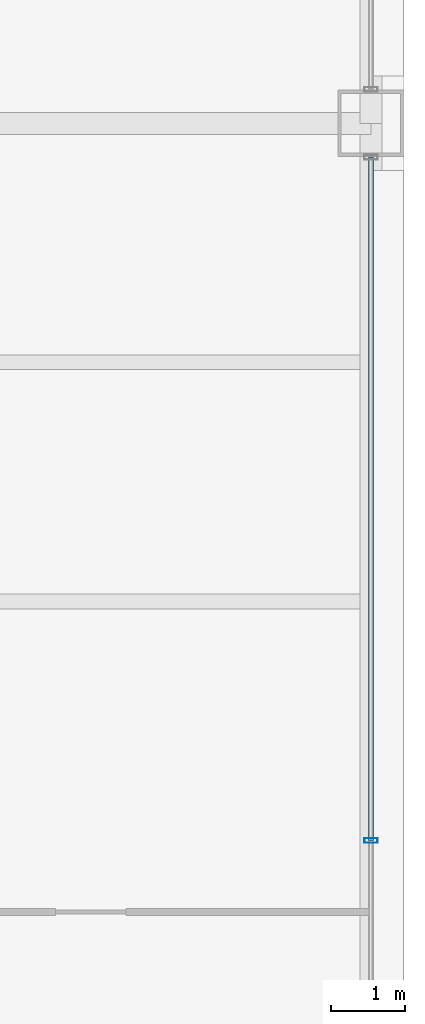
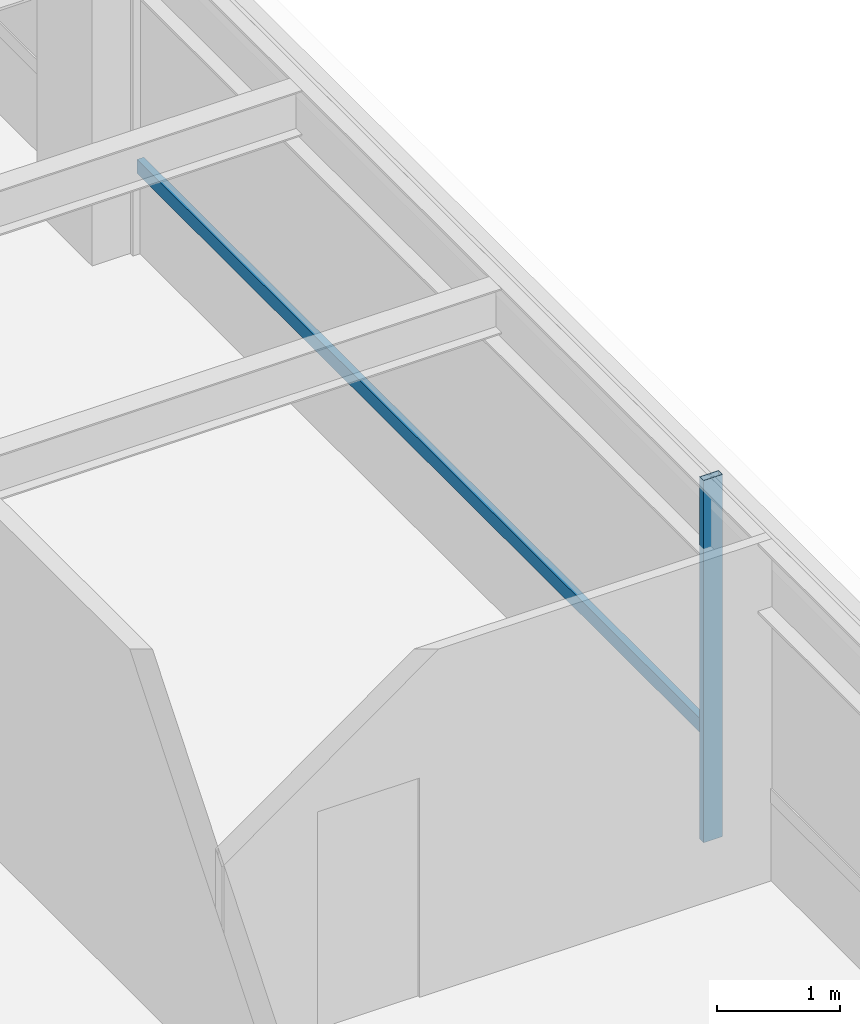
# One storey, part 15 of 29: 2 members, 1 element without a shape of its own.
"""IFC4 building model written with IfcOpenShell, lengths in metres."""

from ifc_helpers import new_model, si_unit, direction, frame, origin, origin_2d, place, context, subcontext, project, spatial, hollow_rectangle, extrude, material, layer, layer_set, material_profile, profile_set, type_object, element, aggregate, save


model = new_model("IFC4")

# Units and contexts
model_context = context("Model", 3, precision=1e-05, world=origin(), true_north=direction((0.0, 1.0)))
body_context = subcontext(model_context, "Body", "Model", "MODEL_VIEW")
ifc_project = project(units=[si_unit("LENGTHUNIT", "METRE"), si_unit("AREAUNIT", "SQUARE_METRE"), si_unit("VOLUMEUNIT", "CUBIC_METRE"), si_unit("PLANEANGLEUNIT", "RADIAN"), si_unit("MASSUNIT", "GRAM", prefix="KILO")], contexts=[model_context])

# Site, building, storey
site_placement = place(None, origin())
site = spatial("IfcSite", under=ifc_project, at=site_placement, CompositionType="ELEMENT")
building_placement = place(site_placement, origin())
building = spatial("IfcBuilding", under=site, at=building_placement, Name="Brelmoor Portico Tower", CompositionType="ELEMENT")
storey_placement = place(building_placement, frame((0.0, 0.0, 52.800048828125)))
storey = spatial("IfcBuildingStorey", under=building, at=storey_placement, Name="L13", CompositionType="ELEMENT", Elevation=52.800048828125)

# Curtain wall, members
ifc_material = material(Name="Anodised Aluminium Alloy 6063-T6", Category="aluminium")
ifc_layer = layer(ifc_material, 0.179931640625)
ifc_layer_set = layer_set([ifc_layer], Name="Anodised Aluminium Alloy 6063-T6")
curtain_wall_type = type_object("IfcCurtainWallType", Name="CW-TOWER-Z1", PredefinedType="NOTDEFINED", material=ifc_layer_set)
curtain_wall_placement = place(storey_placement, origin())
curtain_wall = element("IfcCurtainWall", 1, at=curtain_wall_placement, inside=storey, type_object=curtain_wall_type, Name="L13 Curtain Wall CW-L13-04-2", PredefinedType="NOTDEFINED")
ifc_material_profile_1 = material_profile(ifc_material, hollow_rectangle(XDim=0.06494140625, YDim=0.179931640625, WallThickness=0.00390625, at=origin_2d()), Name="ALU MULLION 65x180")
ifc_profile_set_1 = profile_set([ifc_material_profile_1], Name="Anodised Aluminium Alloy 6063-T6")
member_type_1 = type_object("IfcMemberType", Name="MB-CW-MULL-180", PredefinedType="MULLION", material=ifc_profile_set_1)
member_1_placement = place(storey_placement, frame((24.550048828125, 0.0, -0.199951171875), z_axis=(0.0, 0.0, 1.0), x_axis=(0.0, 1.0, 0.0)))
member_1 = element("IfcMember", 2, at=member_1_placement, type_object=member_type_1, Name="CW-L13-04-2 Mullion 01", PredefinedType="MULLION", context=body_context, shape_type="SweptSolid", body=[
    extrude(hollow_rectangle(XDim=0.06494140625, YDim=0.179931640625, WallThickness=0.00390625, at=origin_2d()), origin(), (0.0, 0.0, 1.0), 3.599853515625),
])
ifc_material_profile_2 = material_profile(ifc_material, hollow_rectangle(XDim=0.06494140625, YDim=0.139892578125, WallThickness=0.00390625, at=origin_2d()), Name="ALU TRANSOM 65x140")
ifc_profile_set_2 = profile_set([ifc_material_profile_2], Name="Anodised Aluminium Alloy 6063-T6")
member_type_2 = type_object("IfcMemberType", Name="MB-CW-TRAN-140", PredefinedType="USERDEFINED", material=ifc_profile_set_2)
member_2_placement = place(storey_placement, frame((24.550048828125, 0.0, 0.849853515625), z_axis=(0.0, 1.0, 0.0), x_axis=(-1.0, 0.0, 0.0)))
member_2 = element("IfcMember", 3, at=member_2_placement, type_object=member_type_2, Name="CW-L13-04-2 Transom 1-01", ObjectType="TRANSOM", PredefinedType="USERDEFINED", context=body_context, shape_type="SweptSolid", body=[
    extrude(hollow_rectangle(XDim=0.06494140625, YDim=0.139892578125, WallThickness=0.00390625, at=origin_2d()), origin(), (0.0, 0.0, 1.0), 9.2900390625),
])
aggregate(curtain_wall, [member_1, member_2])

save(model, "model.ifc")
